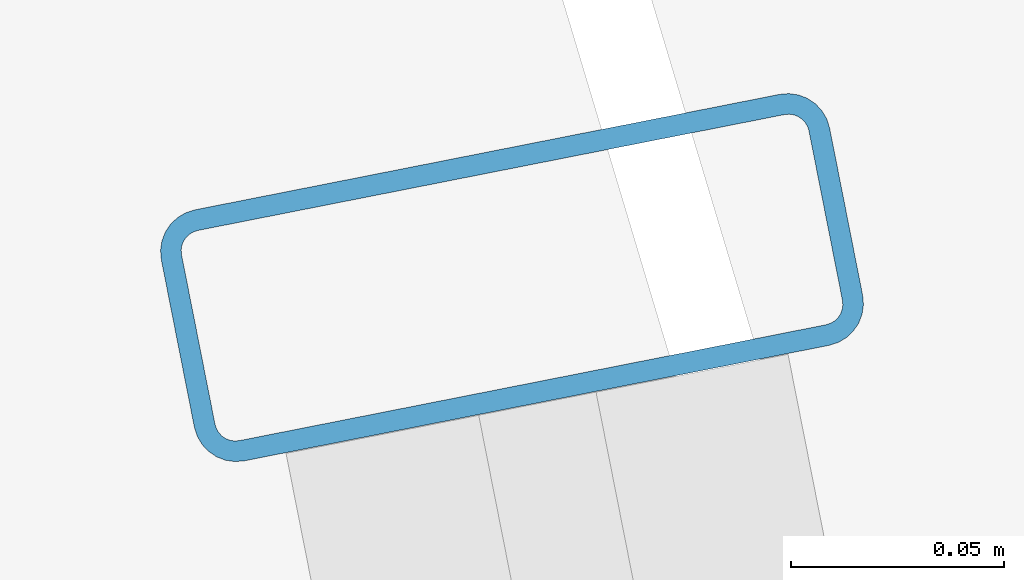
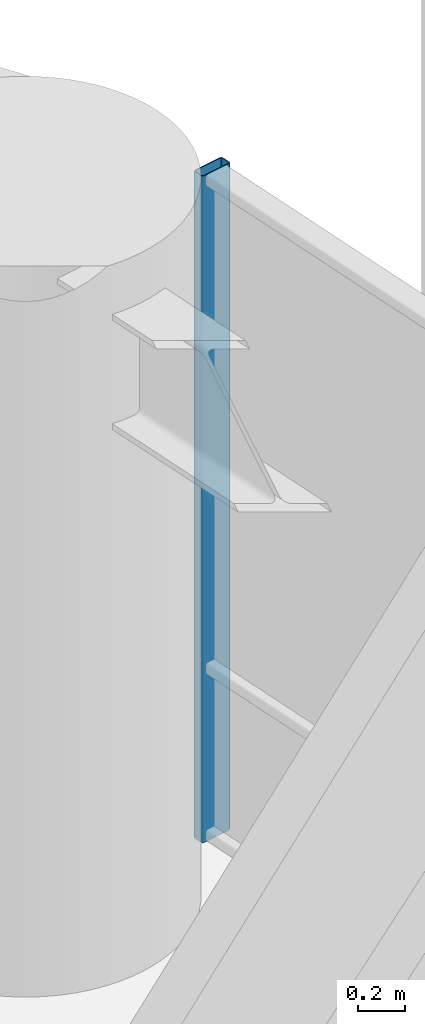
# One storey, part 20 of 33: 1 member, 1 element without a shape of its own.
"""IFC4 building model written with IfcOpenShell, lengths in metres."""

from ifc_helpers import new_model, si_unit, direction, frame, origin, origin_2d, place, context, subcontext, project, spatial, hollow_rectangle, extrude, material, layer, layer_set, material_profile, profile_set, type_object, element, aggregate, save


model = new_model("IFC4")

# Units and contexts
model_context = context("Model", 3, precision=1e-05, world=origin(), true_north=direction((0.0, 1.0)))
body_context = subcontext(model_context, "Body", "Model", "MODEL_VIEW")
ifc_project = project(units=[si_unit("LENGTHUNIT", "METRE"), si_unit("AREAUNIT", "SQUARE_METRE"), si_unit("VOLUMEUNIT", "CUBIC_METRE"), si_unit("PLANEANGLEUNIT", "RADIAN"), si_unit("MASSUNIT", "GRAM", prefix="KILO")], contexts=[model_context])

# Site, building, storey
site_placement = place(None, origin())
site = spatial("IfcSite", under=ifc_project, at=site_placement, CompositionType="ELEMENT")
building_placement = place(site_placement, origin())
building = spatial("IfcBuilding", under=site, at=building_placement, Name="Kelanora Arch Commons", CompositionType="ELEMENT")
storey_placement = place(building_placement, frame((0.0, 0.0, 41.25)))
storey = spatial("IfcBuildingStorey", under=building, at=storey_placement, Name="L10", CompositionType="ELEMENT", Elevation=41.25)

# Curtain wall, member
ifc_material_1 = material(Name="Terracotta ceramic-fritted low-E glass and aluminium", Category="masonry")
ifc_layer = layer(ifc_material_1, 0.159912109375)
ifc_layer_set = layer_set([ifc_layer], Name="Terracotta ceramic-fritted low-E glass and aluminium")
curtain_wall_type = type_object("IfcCurtainWallType", Name="CW-SYS-01", PredefinedType="NOTDEFINED", material=ifc_layer_set)
curtain_wall_placement = place(storey_placement, origin())
curtain_wall = element("IfcCurtainWall", 1, at=curtain_wall_placement, inside=storey, type_object=curtain_wall_type, Name="Unitised Curtain Wall L10-B00", PredefinedType="NOTDEFINED")
ifc_material_2 = material(Name="Powder-coated aluminium terracotta", Category="masonry")
ifc_material_profile = material_profile(ifc_material_2, hollow_rectangle(XDim=0.159912109375, YDim=0.06005859375, WallThickness=0.0048828125, InnerFilletRadius=0.0048828125, OuterFilletRadius=0.010009765625, at=origin_2d()), Name="CWM160x60")
ifc_profile_set = profile_set([ifc_material_profile], Name="Powder-coated aluminium terracotta")
member_type = type_object("IfcMemberType", Name="CWM-STD", PredefinedType="MULLION", material=ifc_profile_set)
member_placement = place(storey_placement, frame((100.371826171875, 66.243896484375, 0.0), z_axis=(0.0, 0.0, 1.0), x_axis=(-0.981052110579, -0.193744048498, 0.0)))
member = element("IfcMember", 2, at=member_placement, type_object=member_type, Name="CW-01 mullion 3", PredefinedType="MULLION", context=body_context, shape_type="SweptSolid", body=[
    extrude(hollow_rectangle(XDim=0.159912109375, YDim=0.06005859375, WallThickness=0.0048828125, InnerFilletRadius=0.0048828125, OuterFilletRadius=0.010009765625, at=origin_2d()), origin(), (0.0, 0.0, 1.0), 3.47509765625),
])
aggregate(curtain_wall, [member])

save(model, "model.ifc")
